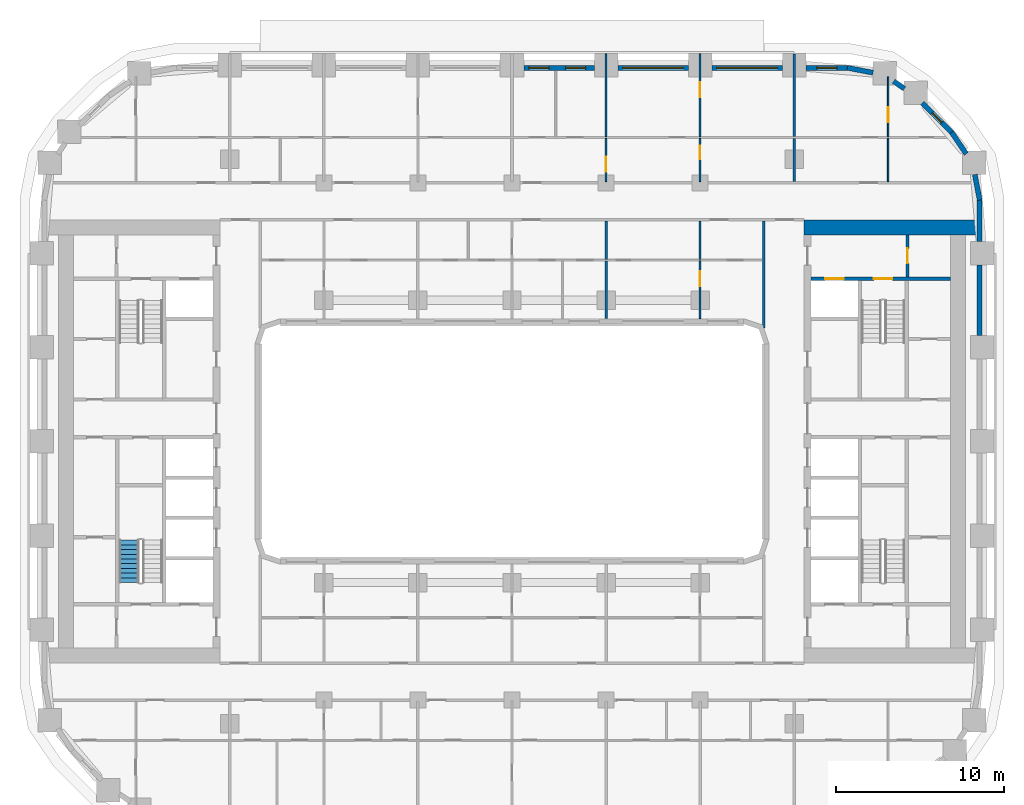
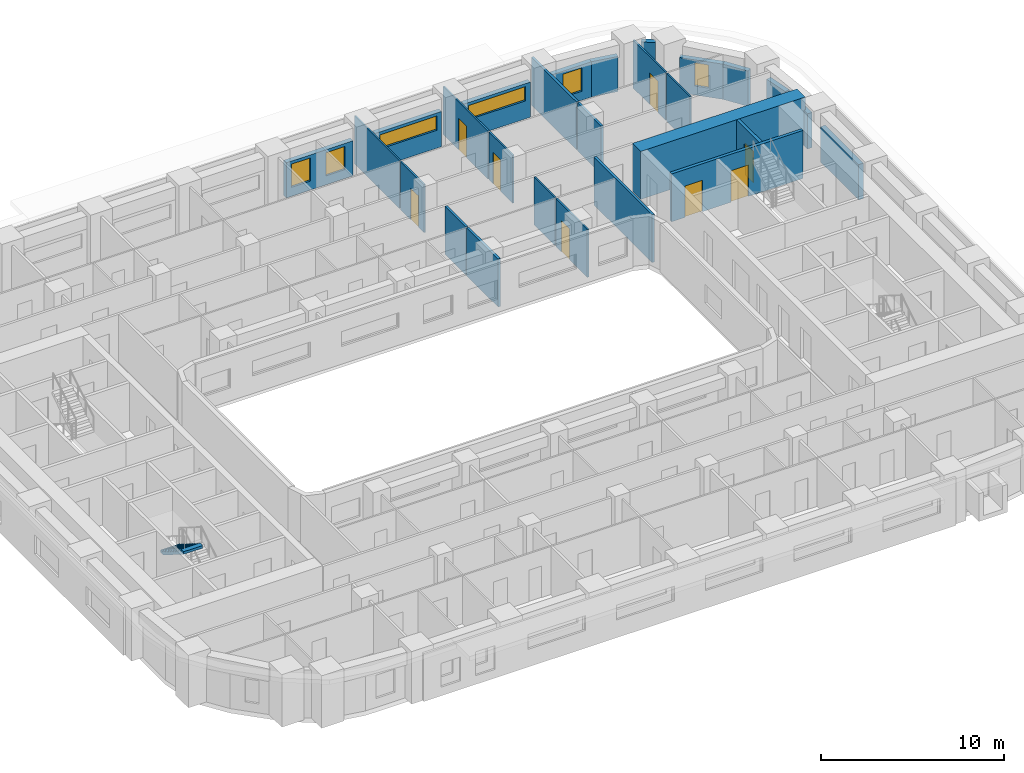
# One storey, part 9 of 22: 27 walls, 8 doors, 6 windows, 1 stair flight, 14 openings, 1 element without a shape of its own.
"""IFC4 building model written with IfcOpenShell, lengths in metres."""

from ifc_helpers import new_model, si_unit, direction, frame, frame_2d, origin, place, context, subcontext, project, spatial, polyline, rectangle, outline, extrude, material, layer, layer_set, type_object, element, fill, aggregate, save


model = new_model("IFC4")

# Units and contexts
model_context = context("Model", 3, precision=1e-05, world=origin(), true_north=direction((0.0, 1.0)))
body_context = subcontext(model_context, "Body", "Model", "MODEL_VIEW")
ifc_project = project(units=[si_unit("LENGTHUNIT", "METRE"), si_unit("AREAUNIT", "SQUARE_METRE"), si_unit("VOLUMEUNIT", "CUBIC_METRE"), si_unit("PLANEANGLEUNIT", "RADIAN"), si_unit("MASSUNIT", "GRAM", prefix="KILO")], contexts=[model_context])

# Site, building, storey
site_placement = place(None, origin())
site = spatial("IfcSite", under=ifc_project, at=site_placement, CompositionType="ELEMENT")
building_placement = place(site_placement, origin())
building = spatial("IfcBuilding", under=site, at=building_placement, Name="Kiln Ring Residences", CompositionType="ELEMENT")
storey_placement = place(building_placement, frame((0.0, 0.0, 58.5)))
storey = spatial("IfcBuildingStorey", under=building, at=storey_placement, Name="L14", CompositionType="ELEMENT", Elevation=58.5)

# Wall, opening, door
ifc_material_1 = material(Name="Gypsum board on steel studs", Category="steel")
ifc_layer_1 = layer(ifc_material_1, 0.199951171875)
ifc_layer_set_1 = layer_set([ifc_layer_1], Name="CORE-PARTITION-200")
wall_type_1 = type_object("IfcWallType", Name="CORE-PARTITION-200", PredefinedType="PARTITIONING", material=ifc_layer_set_1)
wall_1_placement = place(storey_placement, frame((23.550048828125, 9.800048828125, 0.0), z_axis=(0.0, 0.0, 1.0), x_axis=(0.0, 1.0, 0.0)))
wall_1 = element("IfcWall", 1, at=wall_1_placement, inside=storey, type_object=wall_type_1, Name="Core partition east L14 3", PredefinedType="PARTITIONING", context=body_context, shape_type="SweptSolid", body=[
    extrude(rectangle(XDim=2.5, YDim=0.199951171875, at=frame_2d((1.25, 0.0))), origin(), (0.0, 0.0, 1.0), 3.199951171875),
])
opening_1_placement = place(wall_1_placement, frame((0.800048828125, 0.0, 0.0)))
opening_1 = element("IfcOpeningElement", 2, at=opening_1_placement, cuts=wall_1, Name="Opening L14-CE09", PredefinedType="OPENING", context=body_context, shape_type="SweptSolid", body=[
    extrude(rectangle(XDim=0.89990234375, YDim=2.10009765625, at=frame_2d((0.449951171875, 1.050048828125))), frame((0.0, 0.10986328125, 0.0), z_axis=(0.0, -1.0, 0.0), x_axis=(1.0, 0.0, 0.0)), (0.0, 0.0, 1.0), 0.219970703125),
])
ifc_material_2 = material(Name="Steel door leaf", Category="steel")
door_type_1 = type_object("IfcDoorType", Name="CORE-DOOR-ROOM", OperationType="SINGLE_SWING_LEFT", PredefinedType="DOOR", material=ifc_material_2)
door_1_placement = place(opening_1_placement, origin())
door_1 = element("IfcDoor", 3, at=door_1_placement, inside=storey, type_object=door_type_1, Name="Fire riser room L14-CE09", OperationType="SINGLE_SWING_RIGHT", OverallHeight=2.10009765625, OverallWidth=0.89990234375, PredefinedType="DOOR", context=body_context, shape_type="SweptSolid", body=[
    extrude(rectangle(XDim=0.89990234375, YDim=2.10009765625, at=frame_2d((0.449951171875, 1.050048828125))), frame((0.0, 0.02490234375, 0.0), z_axis=(0.0, -1.0, 0.0), x_axis=(1.0, 0.0, 0.0)), (0.0, 0.0, 1.0), 0.050048828125),
])
fill(opening_1, door_1)

# Wall, openings, doors
ifc_material_3 = material(Name="Concrete C40/50", Category="concrete")
ifc_layer_2 = layer(ifc_material_3, 0.199951171875)
ifc_layer_set_2 = layer_set([ifc_layer_2], Name="CORE-WALL-RC200")
wall_type_2 = type_object("IfcWallType", Name="CORE-WALL-RC200", PredefinedType="SHEAR", material=ifc_layer_set_2)
wall_2_placement = place(storey_placement, frame((17.800048828125, 9.699951171875, 0.0), z_axis=(0.0, 0.0, 1.0), x_axis=(1.0, 0.0, 0.0)))
wall_2 = element("IfcWall", 4, at=wall_2_placement, inside=storey, type_object=wall_type_2, Name="Core wall east L14 9", PredefinedType="SHEAR", context=body_context, shape_type="SweptSolid", body=[
    extrude(rectangle(XDim=8.300048828125, YDim=0.199951171875, at=frame_2d((4.14990234375, 0.0))), origin(), (0.0, 0.0, 1.0), 3.199951171875),
])
opening_2_placement = place(wall_2_placement, frame((0.85009765625, 0.0, 0.0)))
opening_2 = element("IfcOpeningElement", 5, at=opening_2_placement, cuts=wall_2, Name="Opening L14-CE06", PredefinedType="OPENING", context=body_context, shape_type="SweptSolid", body=[
    extrude(rectangle(XDim=1.10009765625, YDim=2.10009765625, at=frame_2d((0.550048828125, 1.050048828125))), frame((0.0, 0.10986328125, 0.0), z_axis=(0.0, -1.0, 0.0), x_axis=(1.0, 0.0, 0.0)), (0.0, 0.0, 1.0), 0.219970703125),
])
opening_3_placement = place(wall_2_placement, frame((3.75, 0.0, 0.0)))
opening_3 = element("IfcOpeningElement", 6, at=opening_3_placement, cuts=wall_2, Name="Opening L14-CE11", PredefinedType="OPENING", context=body_context, shape_type="SweptSolid", body=[
    extrude(rectangle(XDim=1.10009765625, YDim=2.10009765625, at=frame_2d((0.550048828125, 1.050048828125))), frame((0.0, 0.10986328125, 0.0), z_axis=(0.0, -1.0, 0.0), x_axis=(1.0, 0.0, 0.0)), (0.0, 0.0, 1.0), 0.219970703125),
])
ifc_material_4 = material(Name="Steel door leaf", Category="steel")
door_type_2 = type_object("IfcDoorType", Name="CORE-DOOR-LD", OperationType="DOUBLE_DOOR_SLIDING", PredefinedType="DOOR", material=ifc_material_4)
door_2_placement = place(opening_2_placement, origin())
door_2 = element("IfcDoor", 7, at=door_2_placement, inside=storey, type_object=door_type_2, Name="LD E-FF L14-CE06", OperationType="DOUBLE_DOOR_SLIDING", OverallHeight=2.10009765625, OverallWidth=1.10009765625, PredefinedType="DOOR", context=body_context, shape_type="SweptSolid", body=[
    extrude(rectangle(XDim=1.10009765625, YDim=2.10009765625, at=frame_2d((0.550048828125, 1.050048828125))), frame((0.0, 0.02490234375, 0.0), z_axis=(0.0, -1.0, 0.0), x_axis=(1.0, 0.0, 0.0)), (0.0, 0.0, 1.0), 0.050048828125),
])
fill(opening_2, door_2)
ifc_material_5 = material(Name="Steel door leaf", Category="steel")
door_type_3 = type_object("IfcDoorType", Name="CORE-DOOR-STAIR", OperationType="SINGLE_SWING_LEFT", PredefinedType="DOOR", material=ifc_material_5)
door_3_placement = place(opening_3_placement, origin())
door_3 = element("IfcDoor", 8, at=door_3_placement, inside=storey, type_object=door_type_3, Name="Stair E-STN L14-CE11", OperationType="SINGLE_SWING_RIGHT", OverallHeight=2.10009765625, OverallWidth=1.10009765625, PredefinedType="DOOR", context=body_context, shape_type="SweptSolid", body=[
    extrude(rectangle(XDim=1.10009765625, YDim=2.10009765625, at=frame_2d((0.550048828125, 1.050048828125))), frame((0.0, 0.02490234375, 0.0), z_axis=(0.0, -1.0, 0.0), x_axis=(1.0, 0.0, 0.0)), (0.0, 0.0, 1.0), 0.050048828125),
])
fill(opening_3, door_3)

# Walls
ifc_material_6 = material(Name="Concrete C60/75", Category="concrete")
ifc_layer_3 = layer(ifc_material_6, 0.89990234375)
ifc_layer_set_3 = layer_set([ifc_layer_3], Name="CORE-WALL-RC900")
wall_type_3 = type_object("IfcWallType", Name="CORE-WALL-RC900", PredefinedType="SHEAR", material=ifc_layer_set_3)
wall_3_placement = place(storey_placement, frame((17.39990234375, 12.75, 0.0), z_axis=(0.0, 0.0, 1.0), x_axis=(1.0, 0.0, 0.0)))
element("IfcWall", 9, at=wall_3_placement, inside=storey, type_object=wall_type_3, Name="Core wall east L14 4", PredefinedType="SHEAR", context=body_context, shape_type="SweptSolid", body=[
    extrude(rectangle(XDim=10.400146484375, YDim=0.89990234375, at=frame_2d((5.2001953125, 0.0))), origin(), (0.0, 0.0, 1.0), 3.199951171875),
])
ifc_material_7 = material(Name="Brick masonry, dark clay brick", Category="masonry")
ifc_layer_4 = layer(ifc_material_7, 0.300048828125)
ifc_layer_set_4 = layer_set([ifc_layer_4], Name="EW-300 BRICK WALL")
wall_type_4 = type_object("IfcWallType", Name="EW-300 BRICK WALL", PredefinedType="SOLIDWALL", material=ifc_layer_set_4)
wall_4_placement = place(storey_placement, frame((27.85009765625, 6.300048828125, 0.0), z_axis=(0.0, 0.0, 1.0), x_axis=(0.0, 1.0, 0.0)))
element("IfcWall", 10, at=wall_4_placement, inside=storey, type_object=wall_type_4, Name="Facade wall L14 21", PredefinedType="SOLIDWALL", context=body_context, shape_type="SweptSolid", body=[
    extrude(rectangle(XDim=4.199951171875, YDim=0.300048828125, at=frame_2d((2.10009765625, 0.0))), origin(), (0.0, 0.0, 1.0), 2.35009765625),
])
wall_5_placement = place(storey_placement, frame((27.85009765625, 11.89990234375, 0.0), z_axis=(0.0, 0.0, 1.0), x_axis=(0.0, 1.0, 0.0)))
element("IfcWall", 11, at=wall_5_placement, inside=storey, type_object=wall_type_4, Name="Facade wall L14 22", PredefinedType="SOLIDWALL", context=body_context, shape_type="SweptSolid", body=[
    extrude(rectangle(XDim=2.5, YDim=0.300048828125, at=frame_2d((1.25, 0.0))), origin(), (0.0, 0.0, 1.0), 2.35009765625),
])
for number, where, z_axis, x_axis, name in (
    (12, (27.8525390625, 14.371826171875, 0.0), (0.0, 0.0, 1.0), (-0.187328386968, 0.982297345734, 0.0), "Facade wall L14 23"),
    (13, (27.053466796875, 17.125732421875, 0.0), (0.0, 0.0, 1.0), (-0.56199241657, 0.827142384187, 0.0), "Facade wall L14 24"),
):
    element("IfcWall", number, at=place(storey_placement, frame(where, z_axis=z_axis, x_axis=x_axis)), inside=storey, type_object=wall_type_4, Name=name, PredefinedType="SOLIDWALL", context=body_context, shape_type="SweptSolid", body=[
        extrude(rectangle(XDim=1.55615234375, YDim=0.300048828125, at=frame_2d((0.778076171875, 0.0))), origin(), (0.0, 0.0, 1.0), 2.35009765625),
    ])

# Wall, opening, window
wall_6_placement = place(storey_placement, frame((26.19677734375, 18.390869140625, 0.0), z_axis=(0.0, 0.0, 1.0), x_axis=(-0.707057949532, 0.707155609469, 0.0)))
wall_6 = element("IfcWall", 14, at=wall_6_placement, inside=storey, type_object=wall_type_4, Name="Facade wall L14 25", PredefinedType="SOLIDWALL", context=body_context, shape_type="SweptSolid", body=[
    extrude(rectangle(XDim=2.5, YDim=0.300048828125, at=frame_2d((1.25, 0.0))), origin(), (0.0, 0.0, 1.0), 2.35009765625),
])
opening_4_placement = place(wall_6_placement, frame((0.85009765625, 0.0, 0.60009765625)))
opening_4 = element("IfcOpeningElement", 15, at=opening_4_placement, cuts=wall_6, Name="Opening W5", PredefinedType="OPENING", context=body_context, shape_type="SweptSolid", body=[
    extrude(rectangle(XDim=0.800048828125, YDim=1.550048828125, at=frame_2d((0.39990234375, 0.77490234375))), frame((0.0, 0.159912109375, 0.0), z_axis=(0.0, -1.0, 0.0), x_axis=(1.0, 0.0, 0.0)), (0.0, 0.0, 1.0), 0.320068359375),
])
ifc_material_8 = material(Name="Aluminium frame with double glazing", Category="aluminium")
window_type_1 = type_object("IfcWindowType", Name="WINDOW 800 x 1550", PartitioningType="SINGLE_PANEL", PredefinedType="WINDOW", material=ifc_material_8)
window_1_placement = place(opening_4_placement, origin())
window_1 = element("IfcWindow", 16, at=window_1_placement, inside=storey, type_object=window_type_1, Name="Window L14 12", OverallHeight=1.550048828125, OverallWidth=0.800048828125, PartitioningType="SINGLE_PANEL", PredefinedType="WINDOW", context=body_context, shape_type="SweptSolid", body=[
    extrude(rectangle(XDim=0.800048828125, YDim=1.550048828125, at=frame_2d((0.39990234375, 0.77490234375))), frame((0.0, 0.030029296875, 0.0), z_axis=(0.0, -1.0, 0.0), x_axis=(1.0, 0.0, 0.0)), (0.0, 0.0, 1.0), 0.06005859375),
])
fill(opening_4, window_1)

# Walls
wall_7_placement = place(storey_placement, frame((23.368408203125, 21.016845703125, 0.0), z_axis=(0.0, 0.0, 1.0), x_axis=(-0.827037530089, 0.562146710232, 0.0)))
element("IfcWall", 17, at=wall_7_placement, inside=storey, type_object=wall_type_4, Name="Facade wall L14 26", PredefinedType="SOLIDWALL", context=body_context, shape_type="SweptSolid", body=[
    extrude(rectangle(XDim=0.77685546875, YDim=0.300048828125, at=frame_2d((0.388427734375, 0.0))), origin(), (0.0, 0.0, 1.0), 3.199951171875),
])
wall_8_placement = place(storey_placement, frame((21.50048828125, 21.961181640625, 0.0), z_axis=(0.0, 0.0, 1.0), x_axis=(-0.982297345734, 0.187328386968, 0.0)))
element("IfcWall", 18, at=wall_8_placement, inside=storey, type_object=wall_type_4, Name="Facade wall L14 27", PredefinedType="SOLIDWALL", context=body_context, shape_type="SweptSolid", body=[
    extrude(rectangle(XDim=1.55615234375, YDim=0.300048828125, at=frame_2d((0.778076171875, 0.0))), origin(), (0.0, 0.0, 1.0), 2.35009765625),
])

# Wall, opening, window
wall_9_placement = place(storey_placement, frame((20.0, 22.25, 0.0), z_axis=(0.0, 0.0, 1.0), x_axis=(-1.0, 0.0, 0.0)))
wall_9 = element("IfcWall", 19, at=wall_9_placement, inside=storey, type_object=wall_type_4, Name="Facade wall L14 28", PredefinedType="SOLIDWALL", context=body_context, shape_type="SweptSolid", body=[
    extrude(rectangle(XDim=2.5, YDim=0.300048828125, at=frame_2d((1.25, 0.0))), origin(), (0.0, 0.0, 1.0), 2.35009765625),
])
opening_5_placement = place(wall_9_placement, frame((0.64990234375, 0.0, 0.60009765625)))
opening_5 = element("IfcOpeningElement", 20, at=opening_5_placement, cuts=wall_9, Name="Opening W1", PredefinedType="OPENING", context=body_context, shape_type="SweptSolid", body=[
    extrude(rectangle(XDim=1.199951171875, YDim=1.550048828125, at=frame_2d((0.60009765625, 0.77490234375))), frame((0.0, 0.159912109375, 0.0), z_axis=(0.0, -1.0, 0.0), x_axis=(1.0, 0.0, 0.0)), (0.0, 0.0, 1.0), 0.320068359375),
])
ifc_material_9 = material(Name="Aluminium frame with double glazing", Category="aluminium")
window_type_2 = type_object("IfcWindowType", Name="WINDOW 1200 x 1550", PartitioningType="SINGLE_PANEL", PredefinedType="WINDOW", material=ifc_material_9)
window_2_placement = place(opening_5_placement, origin())
window_2 = element("IfcWindow", 21, at=window_2_placement, inside=storey, type_object=window_type_2, Name="Window L14 13", OverallHeight=1.550048828125, OverallWidth=1.199951171875, PartitioningType="SINGLE_PANEL", PredefinedType="WINDOW", context=body_context, shape_type="SweptSolid", body=[
    extrude(rectangle(XDim=1.199951171875, YDim=1.550048828125, at=frame_2d((0.60009765625, 0.77490234375))), frame((0.0, 0.030029296875, 0.0), z_axis=(0.0, -1.0, 0.0), x_axis=(1.0, 0.0, 0.0)), (0.0, 0.0, 1.0), 0.06005859375),
])
fill(opening_5, window_2)

wall_10_placement = place(storey_placement, frame((16.10009765625, 22.25, 0.0), z_axis=(0.0, 0.0, 1.0), x_axis=(-1.0, 0.0, 0.0)))
wall_10 = element("IfcWall", 22, at=wall_10_placement, inside=storey, type_object=wall_type_4, Name="Facade wall L14 29", PredefinedType="SOLIDWALL", context=body_context, shape_type="SweptSolid", body=[
    extrude(rectangle(XDim=4.2001953125, YDim=0.300048828125, at=frame_2d((2.10009765625, 0.0))), origin(), (0.0, 0.0, 1.0), 2.35009765625),
])
opening_6_placement = place(wall_10_placement, frame((0.300048828125, 0.0, 1.199951171875)))
opening_6 = element("IfcOpeningElement", 23, at=opening_6_placement, cuts=wall_10, Name="Opening W4", PredefinedType="OPENING", context=body_context, shape_type="SweptSolid", body=[
    extrude(rectangle(XDim=3.60009765625, YDim=0.949951171875, at=frame_2d((1.800048828125, 0.47509765625))), frame((0.0, 0.159912109375, 0.0), z_axis=(0.0, -1.0, 0.0), x_axis=(1.0, 0.0, 0.0)), (0.0, 0.0, 1.0), 0.320068359375),
])
ifc_material_10 = material(Name="Aluminium frame with double glazing", Category="aluminium")
window_type_3 = type_object("IfcWindowType", Name="WINDOW 3600 x 950", PartitioningType="SINGLE_PANEL", PredefinedType="WINDOW", material=ifc_material_10)
window_3_placement = place(opening_6_placement, origin())
window_3 = element("IfcWindow", 24, at=window_3_placement, inside=storey, type_object=window_type_3, Name="Window L14 14", OverallHeight=0.949951171875, OverallWidth=3.60009765625, PartitioningType="SINGLE_PANEL", PredefinedType="WINDOW", context=body_context, shape_type="SweptSolid", body=[
    extrude(rectangle(XDim=3.60009765625, YDim=0.949951171875, at=frame_2d((1.800048828125, 0.47509765625))), frame((0.0, 0.030029296875, 0.0), z_axis=(0.0, -1.0, 0.0), x_axis=(1.0, 0.0, 0.0)), (0.0, 0.0, 1.0), 0.06005859375),
])
fill(opening_6, window_3)

wall_11_placement = place(storey_placement, frame((10.5, 22.25, 0.0), z_axis=(0.0, 0.0, 1.0), x_axis=(-1.0, 0.0, 0.0)))
wall_11 = element("IfcWall", 25, at=wall_11_placement, inside=storey, type_object=wall_type_4, Name="Facade wall L14 30", PredefinedType="SOLIDWALL", context=body_context, shape_type="SweptSolid", body=[
    extrude(rectangle(XDim=4.199951171875, YDim=0.300048828125, at=frame_2d((2.10009765625, 0.0))), origin(), (0.0, 0.0, 1.0), 2.35009765625),
])
opening_7_placement = place(wall_11_placement, frame((0.300048828125, 0.0, 1.199951171875)))
opening_7 = element("IfcOpeningElement", 26, at=opening_7_placement, cuts=wall_11, Name="Opening W4", PredefinedType="OPENING", context=body_context, shape_type="SweptSolid", body=[
    extrude(rectangle(XDim=3.60009765625, YDim=0.949951171875, at=frame_2d((1.800048828125, 0.47509765625))), frame((0.0, 0.159912109375, 0.0), z_axis=(0.0, -1.0, 0.0), x_axis=(1.0, 0.0, 0.0)), (0.0, 0.0, 1.0), 0.320068359375),
])
window_4_placement = place(opening_7_placement, origin())
window_4 = element("IfcWindow", 27, at=window_4_placement, inside=storey, type_object=window_type_3, Name="Window L14 15", OverallHeight=0.949951171875, OverallWidth=3.60009765625, PartitioningType="SINGLE_PANEL", PredefinedType="WINDOW", context=body_context, shape_type="SweptSolid", body=[
    extrude(rectangle(XDim=3.60009765625, YDim=0.949951171875, at=frame_2d((1.800048828125, 0.47509765625))), frame((0.0, 0.030029296875, 0.0), z_axis=(0.0, -1.0, 0.0), x_axis=(1.0, 0.0, 0.0)), (0.0, 0.0, 1.0), 0.06005859375),
])
fill(opening_7, window_4)

# Wall, openings, windows
wall_12_placement = place(storey_placement, frame((4.89990234375, 22.25, 0.0), z_axis=(0.0, 0.0, 1.0), x_axis=(-1.0, 0.0, 0.0)))
wall_12 = element("IfcWall", 28, at=wall_12_placement, inside=storey, type_object=wall_type_4, Name="Facade wall L14 31", PredefinedType="SOLIDWALL", context=body_context, shape_type="SweptSolid", body=[
    extrude(rectangle(XDim=4.199951171875, YDim=0.300048828125, at=frame_2d((2.10009765625, 0.0))), origin(), (0.0, 0.0, 1.0), 2.35009765625),
])
opening_8_placement = place(wall_12_placement, frame((0.512451171875, 0.0, 0.60009765625)))
opening_8 = element("IfcOpeningElement", 29, at=opening_8_placement, cuts=wall_12, Name="Opening W1", PredefinedType="OPENING", context=body_context, shape_type="SweptSolid", body=[
    extrude(rectangle(XDim=1.199951171875, YDim=1.550048828125, at=frame_2d((0.60009765625, 0.77490234375))), frame((0.0, 0.159912109375, 0.0), z_axis=(0.0, -1.0, 0.0), x_axis=(1.0, 0.0, 0.0)), (0.0, 0.0, 1.0), 0.320068359375),
])
opening_9_placement = place(wall_12_placement, frame((2.6875, 0.0, 0.60009765625)))
opening_9 = element("IfcOpeningElement", 30, at=opening_9_placement, cuts=wall_12, Name="Opening W1", PredefinedType="OPENING", context=body_context, shape_type="SweptSolid", body=[
    extrude(rectangle(XDim=1.199951171875, YDim=1.550048828125, at=frame_2d((0.60009765625, 0.77490234375))), frame((0.0, 0.159912109375, 0.0), z_axis=(0.0, -1.0, 0.0), x_axis=(1.0, 0.0, 0.0)), (0.0, 0.0, 1.0), 0.320068359375),
])
window_5_placement = place(opening_8_placement, origin())
window_5 = element("IfcWindow", 31, at=window_5_placement, inside=storey, type_object=window_type_2, Name="Window L14 16", OverallHeight=1.550048828125, OverallWidth=1.199951171875, PartitioningType="SINGLE_PANEL", PredefinedType="WINDOW", context=body_context, shape_type="SweptSolid", body=[
    extrude(rectangle(XDim=1.199951171875, YDim=1.550048828125, at=frame_2d((0.60009765625, 0.77490234375))), frame((0.0, 0.030029296875, 0.0), z_axis=(0.0, -1.0, 0.0), x_axis=(1.0, 0.0, 0.0)), (0.0, 0.0, 1.0), 0.06005859375),
])
fill(opening_8, window_5)
window_6_placement = place(opening_9_placement, origin())
window_6 = element("IfcWindow", 32, at=window_6_placement, inside=storey, type_object=window_type_2, Name="Window L14 17", OverallHeight=1.550048828125, OverallWidth=1.199951171875, PartitioningType="SINGLE_PANEL", PredefinedType="WINDOW", context=body_context, shape_type="SweptSolid", body=[
    extrude(rectangle(XDim=1.199951171875, YDim=1.550048828125, at=frame_2d((0.60009765625, 0.77490234375))), frame((0.0, 0.030029296875, 0.0), z_axis=(0.0, -1.0, 0.0), x_axis=(1.0, 0.0, 0.0)), (0.0, 0.0, 1.0), 0.06005859375),
])
fill(opening_9, window_6)

# Wall, opening, door
ifc_material_11 = material(Name="Gypsum board on steel studs", Category="steel")
ifc_layer_5 = layer(ifc_material_11, 0.10009765625)
ifc_layer_set_5 = layer_set([ifc_layer_5], Name="PARTITION-100")
wall_type_5 = type_object("IfcWallType", Name="PARTITION-100", PredefinedType="PARTITIONING", material=ifc_layer_set_5)
wall_13_placement = place(storey_placement, frame((5.60009765625, 15.47509765625, 0.0), z_axis=(0.0, 0.0, 1.0), x_axis=(0.0, 1.0, 0.0)))
wall_13 = element("IfcWall", 33, at=wall_13_placement, inside=storey, type_object=wall_type_5, Name="Partition 048", PredefinedType="PARTITIONING", context=body_context, shape_type="SweptSolid", body=[
    extrude(rectangle(XDim=2.574951171875, YDim=0.10009765625, at=frame_2d((1.28759765625, 0.0))), origin(), (0.0, 0.0, 1.0), 3.199951171875),
])
opening_10_placement = place(wall_13_placement, frame((0.575927734375, 0.0, 0.0)))
opening_10 = element("IfcOpeningElement", 34, at=opening_10_placement, cuts=wall_13, Name="Opening L14-D031", PredefinedType="OPENING", context=body_context, shape_type="SweptSolid", body=[
    extrude(rectangle(XDim=0.89990234375, YDim=2.10009765625, at=frame_2d((0.449951171875, 1.050048828125))), frame((0.0, 0.06005859375, 0.0), z_axis=(0.0, -1.0, 0.0), x_axis=(1.0, 0.0, 0.0)), (0.0, 0.0, 1.0), 0.1201171875),
])
ifc_material_12 = material(Name="Timber door leaf", Category="wood")
door_type_4 = type_object("IfcDoorType", Name="FLAT-DOOR-900-PL", OperationType="SINGLE_SWING_LEFT", PredefinedType="DOOR", material=ifc_material_12)
door_4_placement = place(opening_10_placement, origin())
door_4 = element("IfcDoor", 35, at=door_4_placement, inside=storey, type_object=door_type_4, Name="Door L14-D031", OperationType="SINGLE_SWING_LEFT", OverallHeight=2.10009765625, OverallWidth=0.89990234375, PredefinedType="DOOR", context=body_context, shape_type="SweptSolid", body=[
    extrude(rectangle(XDim=0.89990234375, YDim=2.10009765625, at=frame_2d((0.449951171875, 1.050048828125))), frame((0.0, 0.02490234375, 0.0), z_axis=(0.0, -1.0, 0.0), x_axis=(1.0, 0.0, 0.0)), (0.0, 0.0, 1.0), 0.050048828125),
])
fill(opening_10, door_4)

# Wall
wall_14_placement = place(storey_placement, frame((5.60009765625, 18.14990234375, 0.0), z_axis=(0.0, 0.0, 1.0), x_axis=(0.0, 1.0, 0.0)))
element("IfcWall", 36, at=wall_14_placement, inside=storey, type_object=wall_type_5, Name="Partition 049", PredefinedType="PARTITIONING", context=body_context, shape_type="SweptSolid", body=[
    extrude(rectangle(XDim=4.93017578125, YDim=0.10009765625, at=frame_2d((2.465087890625, 0.0))), origin(), (0.0, 0.0, 1.0), 3.199951171875),
])

# Wall, opening, door
wall_15_placement = place(storey_placement, frame((11.199951171875, 7.320068359375, 0.0), z_axis=(0.0, 0.0, 1.0), x_axis=(0.0, 1.0, 0.0)))
wall_15 = element("IfcWall", 37, at=wall_15_placement, inside=storey, type_object=wall_type_5, Name="Partition 059", PredefinedType="PARTITIONING", context=body_context, shape_type="SweptSolid", body=[
    extrude(rectangle(XDim=3.429931640625, YDim=0.10009765625, at=frame_2d((1.71484375, 0.0))), origin(), (0.0, 0.0, 1.0), 3.199951171875),
])
opening_11_placement = place(wall_15_placement, frame((1.929931640625, 0.0, 0.0)))
opening_11 = element("IfcOpeningElement", 38, at=opening_11_placement, cuts=wall_15, Name="Opening L14-D018", PredefinedType="OPENING", context=body_context, shape_type="SweptSolid", body=[
    extrude(rectangle(XDim=0.89990234375, YDim=2.10009765625, at=frame_2d((0.449951171875, 1.050048828125))), frame((0.0, 0.06005859375, 0.0), z_axis=(0.0, -1.0, 0.0), x_axis=(1.0, 0.0, 0.0)), (0.0, 0.0, 1.0), 0.1201171875),
])
door_5_placement = place(opening_11_placement, origin())
door_5 = element("IfcDoor", 39, at=door_5_placement, inside=storey, type_object=door_type_4, Name="Door L14-D018", OperationType="SINGLE_SWING_LEFT", OverallHeight=2.10009765625, OverallWidth=0.89990234375, PredefinedType="DOOR", context=body_context, shape_type="SweptSolid", body=[
    extrude(rectangle(XDim=0.89990234375, YDim=2.10009765625, at=frame_2d((0.449951171875, 1.050048828125))), frame((0.0, 0.02490234375, 0.0), z_axis=(0.0, -1.0, 0.0), x_axis=(1.0, 0.0, 0.0)), (0.0, 0.0, 1.0), 0.050048828125),
])
fill(opening_11, door_5)

# Wall
wall_16_placement = place(storey_placement, frame((11.199951171875, 10.85009765625, 0.0), z_axis=(0.0, 0.0, 1.0), x_axis=(0.0, 1.0, 0.0)))
element("IfcWall", 40, at=wall_16_placement, inside=storey, type_object=wall_type_5, Name="Partition 060", PredefinedType="PARTITIONING", context=body_context, shape_type="SweptSolid", body=[
    extrude(rectangle(XDim=2.27490234375, YDim=0.10009765625, at=frame_2d((1.137451171875, 0.0))), origin(), (0.0, 0.0, 1.0), 3.199951171875),
])

# Wall, opening, door
wall_17_placement = place(storey_placement, frame((11.199951171875, 15.47509765625, 0.0), z_axis=(0.0, 0.0, 1.0), x_axis=(0.0, 1.0, 0.0)))
wall_17 = element("IfcWall", 41, at=wall_17_placement, inside=storey, type_object=wall_type_5, Name="Partition 061", PredefinedType="PARTITIONING", context=body_context, shape_type="SweptSolid", body=[
    extrude(rectangle(XDim=2.574951171875, YDim=0.10009765625, at=frame_2d((1.28759765625, 0.0))), origin(), (0.0, 0.0, 1.0), 3.199951171875),
])
opening_12_placement = place(wall_17_placement, frame((1.325927734375, 0.0, 0.0)))
opening_12 = element("IfcOpeningElement", 42, at=opening_12_placement, cuts=wall_17, Name="Opening L14-D032", PredefinedType="OPENING", context=body_context, shape_type="SweptSolid", body=[
    extrude(rectangle(XDim=0.800048828125, YDim=2.10009765625, at=frame_2d((0.39990234375, 1.050048828125))), frame((0.0, 0.06005859375, 0.0), z_axis=(0.0, -1.0, 0.0), x_axis=(1.0, 0.0, 0.0)), (0.0, 0.0, 1.0), 0.1201171875),
])
ifc_material_13 = material(Name="Timber door leaf", Category="wood")
door_type_5 = type_object("IfcDoorType", Name="FLAT-DOOR-800-PL", OperationType="SINGLE_SWING_LEFT", PredefinedType="DOOR", material=ifc_material_13)
door_6_placement = place(opening_12_placement, origin())
door_6 = element("IfcDoor", 43, at=door_6_placement, inside=storey, type_object=door_type_5, Name="Door L14-D032", OperationType="SINGLE_SWING_RIGHT", OverallHeight=2.10009765625, OverallWidth=0.800048828125, PredefinedType="DOOR", context=body_context, shape_type="SweptSolid", body=[
    extrude(rectangle(XDim=0.800048828125, YDim=2.10009765625, at=frame_2d((0.39990234375, 1.050048828125))), frame((0.0, 0.02490234375, 0.0), z_axis=(0.0, -1.0, 0.0), x_axis=(1.0, 0.0, 0.0)), (0.0, 0.0, 1.0), 0.050048828125),
])
fill(opening_12, door_6)

wall_18_placement = place(storey_placement, frame((11.199951171875, 18.14990234375, 0.0), z_axis=(0.0, 0.0, 1.0), x_axis=(0.0, 1.0, 0.0)))
wall_18 = element("IfcWall", 44, at=wall_18_placement, inside=storey, type_object=wall_type_5, Name="Partition 062", PredefinedType="PARTITIONING", context=body_context, shape_type="SweptSolid", body=[
    extrude(rectangle(XDim=4.93017578125, YDim=0.10009765625, at=frame_2d((2.465087890625, 0.0))), origin(), (0.0, 0.0, 1.0), 3.199951171875),
])
opening_13_placement = place(wall_18_placement, frame((2.35009765625, 0.0, 0.0)))
opening_13 = element("IfcOpeningElement", 45, at=opening_13_placement, cuts=wall_18, Name="Opening L14-D036", PredefinedType="OPENING", context=body_context, shape_type="SweptSolid", body=[
    extrude(rectangle(XDim=0.89990234375, YDim=2.10009765625, at=frame_2d((0.449951171875, 1.050048828125))), frame((0.0, 0.06005859375, 0.0), z_axis=(0.0, -1.0, 0.0), x_axis=(1.0, 0.0, 0.0)), (0.0, 0.0, 1.0), 0.1201171875),
])
door_7_placement = place(opening_13_placement, origin())
door_7 = element("IfcDoor", 46, at=door_7_placement, inside=storey, type_object=door_type_4, Name="Door L14-D036", OperationType="SINGLE_SWING_RIGHT", OverallHeight=2.10009765625, OverallWidth=0.89990234375, PredefinedType="DOOR", context=body_context, shape_type="SweptSolid", body=[
    extrude(rectangle(XDim=0.89990234375, YDim=2.10009765625, at=frame_2d((0.449951171875, 1.050048828125))), frame((0.0, 0.02490234375, 0.0), z_axis=(0.0, -1.0, 0.0), x_axis=(1.0, 0.0, 0.0)), (0.0, 0.0, 1.0), 0.050048828125),
])
fill(opening_13, door_7)

# Wall
wall_19_placement = place(storey_placement, frame((22.39990234375, 15.47509765625, 0.0), z_axis=(0.0, 0.0, 1.0), x_axis=(0.0, 1.0, 0.0)))
element("IfcWall", 47, at=wall_19_placement, inside=storey, type_object=wall_type_5, Name="Partition 074", PredefinedType="PARTITIONING", context=body_context, shape_type="SweptSolid", body=[
    extrude(rectangle(XDim=2.574951171875, YDim=0.10009765625, at=frame_2d((1.28759765625, 0.0))), origin(), (0.0, 0.0, 1.0), 3.199951171875),
])

# Wall, opening, door
wall_20_placement = place(storey_placement, frame((22.39990234375, 18.14990234375, 0.0), z_axis=(0.0, 0.0, 1.0), x_axis=(0.0, 1.0, 0.0)))
wall_20 = element("IfcWall", 48, at=wall_20_placement, inside=storey, type_object=wall_type_5, Name="Partition 075", PredefinedType="PARTITIONING", context=body_context, shape_type="SweptSolid", body=[
    extrude(rectangle(XDim=3.570068359375, YDim=0.10009765625, at=frame_2d((1.78515625, 0.0))), origin(), (0.0, 0.0, 1.0), 3.199951171875),
])
opening_14_placement = place(wall_20_placement, frame((0.85009765625, 0.0, 0.0)))
opening_14 = element("IfcOpeningElement", 49, at=opening_14_placement, cuts=wall_20, Name="Opening L14-D040", PredefinedType="OPENING", context=body_context, shape_type="SweptSolid", body=[
    extrude(rectangle(XDim=0.89990234375, YDim=2.10009765625, at=frame_2d((0.449951171875, 1.050048828125))), frame((0.0, 0.06005859375, 0.0), z_axis=(0.0, -1.0, 0.0), x_axis=(1.0, 0.0, 0.0)), (0.0, 0.0, 1.0), 0.1201171875),
])
door_8_placement = place(opening_14_placement, origin())
door_8 = element("IfcDoor", 50, at=door_8_placement, inside=storey, type_object=door_type_4, Name="Door L14-D040", OperationType="SINGLE_SWING_LEFT", OverallHeight=2.10009765625, OverallWidth=0.89990234375, PredefinedType="DOOR", context=body_context, shape_type="SweptSolid", body=[
    extrude(rectangle(XDim=0.89990234375, YDim=2.10009765625, at=frame_2d((0.449951171875, 1.050048828125))), frame((0.0, 0.02490234375, 0.0), z_axis=(0.0, -1.0, 0.0), x_axis=(1.0, 0.0, 0.0)), (0.0, 0.0, 1.0), 0.050048828125),
])
fill(opening_14, door_8)

# Walls
ifc_material_14 = material(Name="Brick masonry partition", Category="masonry")
ifc_layer_6 = layer(ifc_material_14, 0.14990234375)
ifc_layer_set_6 = layer_set([ifc_layer_6], Name="PARTITION-150-ei60")
wall_type_6 = type_object("IfcWallType", Name="PARTITION-150-ei60", PredefinedType="PARTITIONING", material=ifc_layer_set_6)
wall_21_placement = place(storey_placement, frame((5.60009765625, 7.320068359375, 0.0), z_axis=(0.0, 0.0, 1.0), x_axis=(0.0, 1.0, 0.0)))
element("IfcWall", 51, at=wall_21_placement, inside=storey, type_object=wall_type_6, Name="Partition 054", PredefinedType="PARTITIONING", context=body_context, shape_type="SweptSolid", body=[
    extrude(rectangle(XDim=3.429931640625, YDim=0.14990234375, at=frame_2d((1.71484375, 0.0))), origin(), (0.0, 0.0, 1.0), 3.199951171875),
])
wall_22_placement = place(storey_placement, frame((5.60009765625, 10.85009765625, 0.0), z_axis=(0.0, 0.0, 1.0), x_axis=(0.0, 1.0, 0.0)))
element("IfcWall", 52, at=wall_22_placement, inside=storey, type_object=wall_type_6, Name="Partition 055", PredefinedType="PARTITIONING", context=body_context, shape_type="SweptSolid", body=[
    extrude(rectangle(XDim=2.27490234375, YDim=0.14990234375, at=frame_2d((1.137451171875, 0.0))), origin(), (0.0, 0.0, 1.0), 3.199951171875),
])
wall_23_placement = place(storey_placement, frame((15.0, 6.768798828125, 0.0), z_axis=(0.0, 0.0, 1.0), x_axis=(0.0, 1.0, 0.0)))
element("IfcWall", 53, at=wall_23_placement, inside=storey, type_object=wall_type_6, Name="Partition 067", PredefinedType="PARTITIONING", context=body_context, shape_type="SweptSolid", body=[
    extrude(rectangle(XDim=6.356201171875, YDim=0.14990234375, at=frame_2d((3.17822265625, 0.0))), origin(), (0.0, 0.0, 1.0), 3.199951171875),
])
wall_24_placement = place(storey_placement, frame((16.800048828125, 15.47509765625, 0.0), z_axis=(0.0, 0.0, 1.0), x_axis=(0.0, 1.0, 0.0)))
element("IfcWall", 54, at=wall_24_placement, inside=storey, type_object=wall_type_6, Name="Partition 070", PredefinedType="PARTITIONING", context=body_context, shape_type="SweptSolid", body=[
    extrude(rectangle(XDim=2.574951171875, YDim=0.14990234375, at=frame_2d((1.28759765625, 0.0))), origin(), (0.0, 0.0, 1.0), 3.199951171875),
])
wall_25_placement = place(storey_placement, frame((16.800048828125, 18.14990234375, 0.0), z_axis=(0.0, 0.0, 1.0), x_axis=(0.0, 1.0, 0.0)))
element("IfcWall", 55, at=wall_25_placement, inside=storey, type_object=wall_type_6, Name="Partition 071", PredefinedType="PARTITIONING", context=body_context, shape_type="SweptSolid", body=[
    extrude(rectangle(XDim=4.93017578125, YDim=0.14990234375, at=frame_2d((2.465087890625, 0.0))), origin(), (0.0, 0.0, 1.0), 3.199951171875),
])

# Stair, stair flight
ifc_material_15 = material(Name="Concrete C40/50", Category="concrete")
stair_type = type_object("IfcStairType", Name="CORE-STAIR", PredefinedType="HALF_TURN_STAIR", material=ifc_material_15)
stair_placement = place(storey_placement, origin())
stair = element("IfcStair", 56, at=stair_placement, inside=storey, type_object=stair_type, Name="L14 stair W-STS", PredefinedType="HALF_TURN_STAIR")
ifc_material_16 = material(Name="Concrete C40/50", Category="concrete")
stair_flight_type = type_object("IfcStairFlightType", Name="CORE-STAIR-FLIGHT", PredefinedType="STRAIGHT", material=ifc_material_16)
stair_flight_placement = place(storey_placement, frame((-22.800048828125, -5.8798828125, 1.75), z_axis=(0.0, 0.0, 1.0), x_axis=(0.0, -1.0, 0.0)))
stair_flight = element("IfcStairFlight", 57, at=stair_flight_placement, type_object=stair_flight_type, Name="W-STS flight 2", NumberOfRisers=10, NumberOfTreads=9, PredefinedType="STRAIGHT", RiserHeight=0.175, TreadLength=0.28, context=body_context, shape_type="SweptSolid", body=[
    extrude(outline(polyline([(0.0, 0.0), (0.0, 0.175048828125), (0.280029296875, 0.175048828125), (0.280029296875, 0.35009765625), (0.56005859375, 0.35009765625), (0.56005859375, 0.52490234375), (0.840087890625, 0.52490234375), (0.840087890625, 0.699951171875), (1.1201171875, 0.699951171875), (1.1201171875, 0.875), (1.39990234375, 0.875), (1.39990234375, 1.050048828125), (1.679931640625, 1.050048828125), (1.679931640625, 1.22509765625), (1.9599609375, 1.22509765625), (1.9599609375, 1.39990234375), (2.239990234375, 1.39990234375), (2.239990234375, 1.574951171875), (2.52001953125, 1.574951171875), (2.52001953125, 1.75), (2.52001953125, 1.398193359375), (0.28271484375, 0.0), (0.0, 0.0)])), frame((0.0, 0.60009765625, 0.0), z_axis=(0.0, -1.0, 0.0), x_axis=(1.0, 0.0, 0.0)), (0.0, 0.0, 1.0), 1.199951171875),
])
aggregate(stair, [stair_flight])

save(model, "model.ifc")
